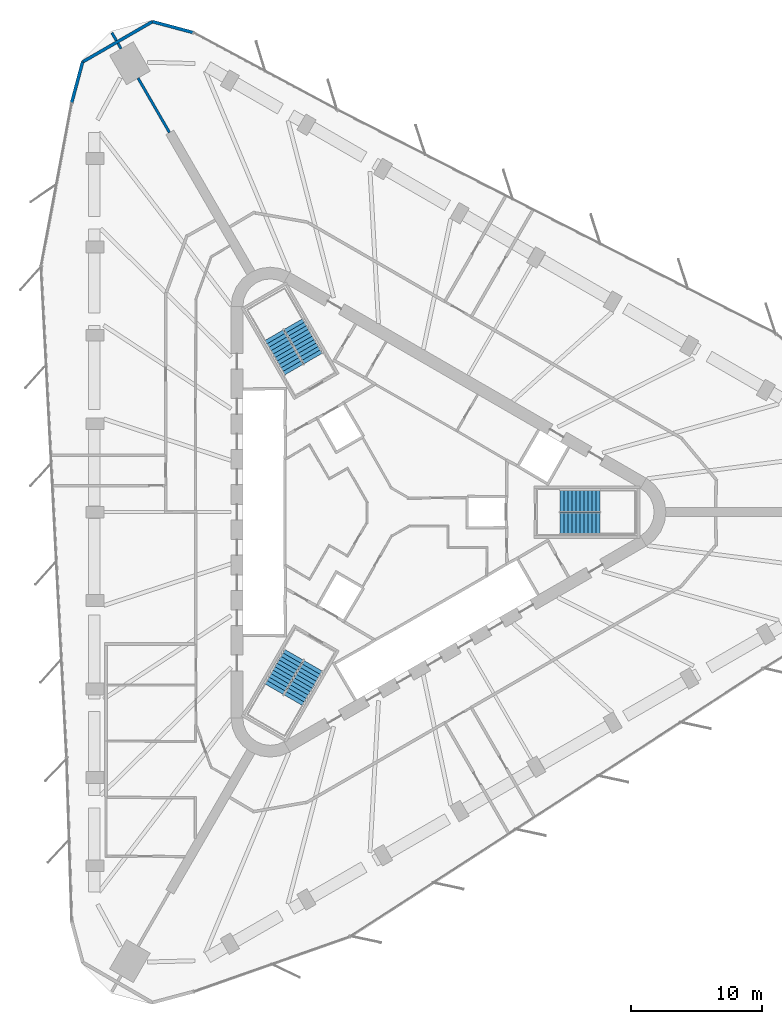
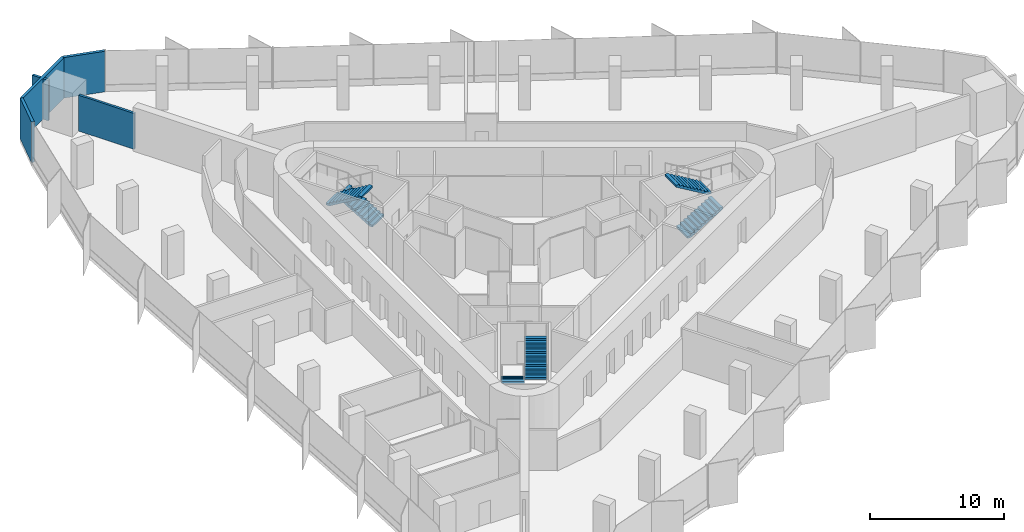
# One storey, part 12 of 13: 6 stair flights, 6 walls, 3 elements without a shape of their own.
"""IFC4 building model written with IfcOpenShell, lengths in metres."""

from ifc_helpers import new_model, si_unit, direction, frame, frame_2d, origin, place, context, subcontext, project, spatial, polyline, rectangle, outline, extrude, material, layer, layer_set, type_object, element, aggregate, save


model = new_model("IFC4")

# Units and contexts
model_context = context("Model", 3, precision=1e-05, world=origin(), true_north=direction((0.0, 1.0)))
body_context = subcontext(model_context, "Body", "Model", "MODEL_VIEW")
ifc_project = project(units=[si_unit("LENGTHUNIT", "METRE"), si_unit("AREAUNIT", "SQUARE_METRE"), si_unit("VOLUMEUNIT", "CUBIC_METRE"), si_unit("PLANEANGLEUNIT", "RADIAN"), si_unit("MASSUNIT", "GRAM", prefix="KILO")], contexts=[model_context])

# Site, building, storey
site_placement = place(None, origin())
site = spatial("IfcSite", under=ifc_project, at=site_placement, CompositionType="ELEMENT")
building_placement = place(site_placement, origin())
building = spatial("IfcBuilding", under=site, at=building_placement, Name="Tanit Gate Tower", CompositionType="ELEMENT")
storey_placement = place(building_placement, frame((0.0, 0.0, 169.199951171875)))
storey = spatial("IfcBuildingStorey", under=building, at=storey_placement, Name="L36", CompositionType="ELEMENT", Elevation=169.199951171875)

# Walls
ifc_material_1 = material(Name="Concrete C30/37 with bronze anodised aluminium cladding", Category="concrete")
ifc_layer_1 = layer(ifc_material_1, 0.239990234375)
ifc_layer_set_1 = layer_set([ifc_layer_1], Name="Facade wall bronze clad 240")
wall_type_1 = type_object("IfcWallType", Name="Facade wall bronze clad 240", PredefinedType="SOLIDWALL", material=ifc_layer_set_1)
wall_1_placement = place(storey_placement, frame((-15.01953125, 36.7353515625, 0.0), z_axis=(0.0, 0.0, 1.0), x_axis=(-0.965921607741, 0.258834788424, 0.0)))
element("IfcWall", 1, at=wall_1_placement, inside=storey, type_object=wall_type_1, Name="Bronze-clad facade wall L36 NW.arc1", PredefinedType="SOLIDWALL", context=body_context, shape_type="SweptSolid", body=[
    extrude(rectangle(XDim=3.214599609375, YDim=0.239990234375, at=frame_2d((1.607421875, 0.0))), origin(), (0.0, 0.0, 1.0), 3.699951171875),
])
wall_2_placement = place(storey_placement, frame((-18.12451171875, 37.5673828125, 0.0), z_axis=(0.0, 0.0, 1.0), x_axis=(-0.866030202489, -0.499991688307, 0.0)))
element("IfcWall", 2, at=wall_2_placement, inside=storey, type_object=wall_type_1, Name="Bronze-clad facade wall L36 NW.arc2", PredefinedType="SOLIDWALL", context=body_context, shape_type="SweptSolid", body=[
    extrude(rectangle(XDim=6.1748046875, YDim=0.239990234375, at=frame_2d((3.08740234375, 0.0))), origin(), (0.0, 0.0, 1.0), 3.699951171875),
])
wall_3_placement = place(storey_placement, frame((-23.47216796875, 34.47998046875, 0.0), z_axis=(0.0, 0.0, 1.0), x_axis=(-0.258770153522, -0.965938925423, 0.0)))
element("IfcWall", 3, at=wall_3_placement, inside=storey, type_object=wall_type_1, Name="Bronze-clad facade wall L36 NW.arc3", PredefinedType="SOLIDWALL", context=body_context, shape_type="SweptSolid", body=[
    extrude(rectangle(XDim=3.223876953125, YDim=0.239990234375, at=frame_2d((1.61181640625, 0.0))), origin(), (0.0, 0.0, 1.0), 3.699951171875),
])
ifc_material_2 = material(Name="Fire-rated gypsum board partition")
ifc_layer_2 = layer(ifc_material_2, 0.199951171875)
ifc_layer_set_2 = layer_set([ifc_layer_2], Name="INT-WALL-COMPARTMENT")
wall_type_2 = type_object("IfcWallType", Name="INT-WALL-COMPARTMENT", PredefinedType="PARTITIONING", material=ifc_layer_set_2)
wall_4_placement = place(storey_placement, frame((-16.8173828125, 29.068359375, 0.0), z_axis=(0.0, 0.0, 1.0), x_axis=(-0.499988695522, 0.866031930329, 0.0)))
element("IfcWall", 4, at=wall_4_placement, inside=storey, type_object=wall_type_2, Name="Wall Compartment W122", PredefinedType="PARTITIONING", context=body_context, shape_type="SweptSolid", body=[
    extrude(rectangle(XDim=4.8154296875, YDim=0.199951171875, at=frame_2d((2.40771484375, 0.0))), origin(), (0.0, 0.0, 1.0), 3.27001953125),
])
wall_5_placement = place(storey_placement, frame((-20.52490234375, 35.490234375, 0.0), z_axis=(0.0, 0.0, 1.0), x_axis=(-0.499869636591, 0.866100656052, 0.0)))
element("IfcWall", 5, at=wall_5_placement, inside=storey, type_object=wall_type_2, Name="Wall Compartment W121", PredefinedType="PARTITIONING", context=body_context, shape_type="SweptSolid", body=[
    extrude(rectangle(XDim=0.478759765625, YDim=0.199951171875, at=frame_2d((0.2392578125, 0.0))), origin(), (0.0, 0.0, 1.0), 3.699951171875),
])
wall_6_placement = place(storey_placement, frame((-20.88427734375, 36.112548828125, 0.0), z_axis=(0.0, 0.0, 1.0), x_axis=(-0.49989369433, 0.866086770693, 0.0)))
element("IfcWall", 6, at=wall_6_placement, inside=storey, type_object=wall_type_2, Name="Wall Compartment W121x1", PredefinedType="PARTITIONING", context=body_context, shape_type="SweptSolid", body=[
    extrude(rectangle(XDim=0.699462890625, YDim=0.199951171875, at=frame_2d((0.349609375, 0.0))), origin(), (0.0, 0.0, 1.0), 3.699951171875),
])

# Stair, stair flights
ifc_material_3 = material(Name="Concrete C40/50", Category="concrete")
stair_type = type_object("IfcStairType", Name="INT-STAIR-EXIT", PredefinedType="HALF_TURN_STAIR", material=ifc_material_3)
stair_1_placement = place(storey_placement, origin())
stair_1 = element("IfcStair", 7, at=stair_1_placement, inside=storey, type_object=stair_type, Name="L36 STAIR S1", PredefinedType="HALF_TURN_STAIR")
ifc_material_4 = material(Name="Concrete C40/50", Category="concrete")
stair_flight_type = type_object("IfcStairFlightType", Name="INT-STAIR-FLIGHT", PredefinedType="STRAIGHT", material=ifc_material_4)
stair_flight_1_placement = place(storey_placement, frame((13.094970703125, -0.8525390625, 0.0), z_axis=(0.0, 0.0, 1.0), x_axis=(1.0, 0.0, 0.0)))
stair_flight_1 = element("IfcStairFlight", 8, at=stair_flight_1_placement, type_object=stair_flight_type, Name="S1 flight 1", NumberOfRisers=11, NumberOfTreads=10, PredefinedType="STRAIGHT", RiserHeight=0.181818182, TreadLength=0.3051, context=body_context, shape_type="SweptSolid", body=[
    extrude(outline(polyline([(0.0, 0.0), (0.0, 0.181884765625), (0.30517578125, 0.181884765625), (0.30517578125, 0.363525390625), (0.610107421875, 0.363525390625), (0.610107421875, 0.54541015625), (0.915283203125, 0.54541015625), (0.915283203125, 0.727294921875), (1.220458984375, 0.727294921875), (1.220458984375, 0.9091796875), (1.525390625, 0.9091796875), (1.525390625, 1.0908203125), (1.83056640625, 1.0908203125), (1.83056640625, 1.272705078125), (2.1357421875, 1.272705078125), (2.1357421875, 1.45458984375), (2.44091796875, 1.45458984375), (2.44091796875, 1.636474609375), (2.745849609375, 1.636474609375), (2.745849609375, 1.818115234375), (3.051025390625, 1.818115234375), (3.051025390625, 2.0), (3.051025390625, 1.643798828125), (0.292724609375, 0.0), (0.0, 0.0)])), frame((0.0, 0.84765625, 0.0), z_axis=(0.0, -1.0, 0.0), x_axis=(1.0, 0.0, 0.0)), (0.0, 0.0, 1.0), 1.695068359375),
])
stair_flight_2_placement = place(storey_placement, frame((16.14599609375, 0.8525390625, 2.0), z_axis=(0.0, 0.0, 1.0), x_axis=(-1.0, 0.0, 0.0)))
stair_flight_2 = element("IfcStairFlight", 9, at=stair_flight_2_placement, type_object=stair_flight_type, Name="S1 flight 2", NumberOfRisers=11, NumberOfTreads=10, PredefinedType="STRAIGHT", RiserHeight=0.181818182, TreadLength=0.3051, context=body_context, shape_type="SweptSolid", body=[
    extrude(outline(polyline([(0.0, 0.0), (0.0, 0.181884765625), (0.30517578125, 0.181884765625), (0.30517578125, 0.363525390625), (0.610107421875, 0.363525390625), (0.610107421875, 0.54541015625), (0.915283203125, 0.54541015625), (0.915283203125, 0.727294921875), (1.220458984375, 0.727294921875), (1.220458984375, 0.9091796875), (1.525390625, 0.9091796875), (1.525390625, 1.0908203125), (1.83056640625, 1.0908203125), (1.83056640625, 1.272705078125), (2.1357421875, 1.272705078125), (2.1357421875, 1.45458984375), (2.44091796875, 1.45458984375), (2.44091796875, 1.636474609375), (2.745849609375, 1.636474609375), (2.745849609375, 1.818115234375), (3.051025390625, 1.818115234375), (3.051025390625, 2.0), (3.051025390625, 1.643798828125), (0.292724609375, 0.0), (0.0, 0.0)])), frame((0.0, 0.84765625, 0.0), z_axis=(0.0, -1.0, 0.0), x_axis=(1.0, 0.0, 0.0)), (0.0, 0.0, 1.0), 1.695068359375),
])
aggregate(stair_1, [stair_flight_1, stair_flight_2])

stair_2_placement = place(storey_placement, origin())
stair_2 = element("IfcStair", 10, at=stair_2_placement, inside=storey, type_object=stair_type, Name="L36 STAIR S2", PredefinedType="HALF_TURN_STAIR")
stair_flight_3_placement = place(storey_placement, frame((-5.808349609375, 11.766357421875, 0.0), z_axis=(0.0, 0.0, 1.0), x_axis=(-0.5, 0.866025403784, 0.0)))
stair_flight_3 = element("IfcStairFlight", 11, at=stair_flight_3_placement, type_object=stair_flight_type, Name="S2 flight 1", NumberOfRisers=11, NumberOfTreads=10, PredefinedType="STRAIGHT", RiserHeight=0.181818182, TreadLength=0.30492, context=body_context, shape_type="SweptSolid", body=[
    extrude(outline(polyline([(0.0, 0.0), (0.0, 0.181884765625), (0.304931640625, 0.181884765625), (0.304931640625, 0.363525390625), (0.60986328125, 0.363525390625), (0.60986328125, 0.54541015625), (0.914794921875, 0.54541015625), (0.914794921875, 0.727294921875), (1.2197265625, 0.727294921875), (1.2197265625, 0.9091796875), (1.524658203125, 0.9091796875), (1.524658203125, 1.0908203125), (1.82958984375, 1.0908203125), (1.82958984375, 1.272705078125), (2.134521484375, 1.272705078125), (2.134521484375, 1.45458984375), (2.439453125, 1.45458984375), (2.439453125, 1.636474609375), (2.744384765625, 1.636474609375), (2.744384765625, 1.818115234375), (3.04931640625, 1.818115234375), (3.04931640625, 2.0), (3.04931640625, 1.6435546875), (0.292724609375, 0.0), (0.0, 0.0)])), frame((0.0, 0.84716796875, 0.0), z_axis=(0.0, -1.0, 0.0), x_axis=(1.0, 0.0, 0.0)), (0.0, 0.0, 1.0), 1.694091796875),
])
stair_flight_4_placement = place(storey_placement, frame((-8.810302734375, 13.553955078125, 2.0), z_axis=(0.0, 0.0, 1.0), x_axis=(0.5, -0.866025403784, 0.0)))
stair_flight_4 = element("IfcStairFlight", 12, at=stair_flight_4_placement, type_object=stair_flight_type, Name="S2 flight 2", NumberOfRisers=11, NumberOfTreads=10, PredefinedType="STRAIGHT", RiserHeight=0.181818182, TreadLength=0.30492, context=body_context, shape_type="SweptSolid", body=[
    extrude(outline(polyline([(0.0, 0.0), (0.0, 0.181884765625), (0.304931640625, 0.181884765625), (0.304931640625, 0.363525390625), (0.60986328125, 0.363525390625), (0.60986328125, 0.54541015625), (0.914794921875, 0.54541015625), (0.914794921875, 0.727294921875), (1.2197265625, 0.727294921875), (1.2197265625, 0.9091796875), (1.524658203125, 0.9091796875), (1.524658203125, 1.0908203125), (1.82958984375, 1.0908203125), (1.82958984375, 1.272705078125), (2.134521484375, 1.272705078125), (2.134521484375, 1.45458984375), (2.439453125, 1.45458984375), (2.439453125, 1.636474609375), (2.744384765625, 1.636474609375), (2.744384765625, 1.818115234375), (3.04931640625, 1.818115234375), (3.04931640625, 2.0), (3.04931640625, 1.6435546875), (0.292724609375, 0.0), (0.0, 0.0)])), frame((0.0, 0.84716796875, 0.0), z_axis=(0.0, -1.0, 0.0), x_axis=(1.0, 0.0, 0.0)), (0.0, 0.0, 1.0), 1.694091796875),
])
aggregate(stair_2, [stair_flight_3, stair_flight_4])

stair_3_placement = place(storey_placement, origin())
stair_3 = element("IfcStair", 13, at=stair_3_placement, inside=storey, type_object=stair_type, Name="L36 STAIR S3", PredefinedType="HALF_TURN_STAIR")
stair_flight_5_placement = place(storey_placement, frame((-7.285888671875, -10.914306640625, 0.0), z_axis=(0.0, 0.0, 1.0), x_axis=(-0.5, -0.866025403784, 0.0)))
stair_flight_5 = element("IfcStairFlight", 14, at=stair_flight_5_placement, type_object=stair_flight_type, Name="S3 flight 1", NumberOfRisers=11, NumberOfTreads=10, PredefinedType="STRAIGHT", RiserHeight=0.181818182, TreadLength=0.3051, context=body_context, shape_type="SweptSolid", body=[
    extrude(outline(polyline([(0.0, 0.0), (0.0, 0.181884765625), (0.30517578125, 0.181884765625), (0.30517578125, 0.363525390625), (0.610107421875, 0.363525390625), (0.610107421875, 0.54541015625), (0.915283203125, 0.54541015625), (0.915283203125, 0.727294921875), (1.220458984375, 0.727294921875), (1.220458984375, 0.9091796875), (1.525390625, 0.9091796875), (1.525390625, 1.0908203125), (1.83056640625, 1.0908203125), (1.83056640625, 1.272705078125), (2.1357421875, 1.272705078125), (2.1357421875, 1.45458984375), (2.44091796875, 1.45458984375), (2.44091796875, 1.636474609375), (2.745849609375, 1.636474609375), (2.745849609375, 1.818115234375), (3.051025390625, 1.818115234375), (3.051025390625, 2.0), (3.051025390625, 1.643798828125), (0.292724609375, 0.0), (0.0, 0.0)])), frame((0.0, 0.84765625, 0.0), z_axis=(0.0, -1.0, 0.0), x_axis=(1.0, 0.0, 0.0)), (0.0, 0.0, 1.0), 1.695068359375),
])
stair_flight_6_placement = place(storey_placement, frame((-7.334716796875, -14.4091796875, 2.0), z_axis=(0.0, 0.0, 1.0), x_axis=(0.5, 0.866025403784, 0.0)))
stair_flight_6 = element("IfcStairFlight", 15, at=stair_flight_6_placement, type_object=stair_flight_type, Name="S3 flight 2", NumberOfRisers=11, NumberOfTreads=10, PredefinedType="STRAIGHT", RiserHeight=0.181818182, TreadLength=0.3051, context=body_context, shape_type="SweptSolid", body=[
    extrude(outline(polyline([(0.0, 0.0), (0.0, 0.181884765625), (0.30517578125, 0.181884765625), (0.30517578125, 0.363525390625), (0.610107421875, 0.363525390625), (0.610107421875, 0.54541015625), (0.915283203125, 0.54541015625), (0.915283203125, 0.727294921875), (1.220458984375, 0.727294921875), (1.220458984375, 0.9091796875), (1.525390625, 0.9091796875), (1.525390625, 1.0908203125), (1.83056640625, 1.0908203125), (1.83056640625, 1.272705078125), (2.1357421875, 1.272705078125), (2.1357421875, 1.45458984375), (2.44091796875, 1.45458984375), (2.44091796875, 1.636474609375), (2.745849609375, 1.636474609375), (2.745849609375, 1.818115234375), (3.051025390625, 1.818115234375), (3.051025390625, 2.0), (3.051025390625, 1.643798828125), (0.292724609375, 0.0), (0.0, 0.0)])), frame((0.0, 0.84765625, 0.0), z_axis=(0.0, -1.0, 0.0), x_axis=(1.0, 0.0, 0.0)), (0.0, 0.0, 1.0), 1.695068359375),
])
aggregate(stair_3, [stair_flight_5, stair_flight_6])

save(model, "model.ifc")
